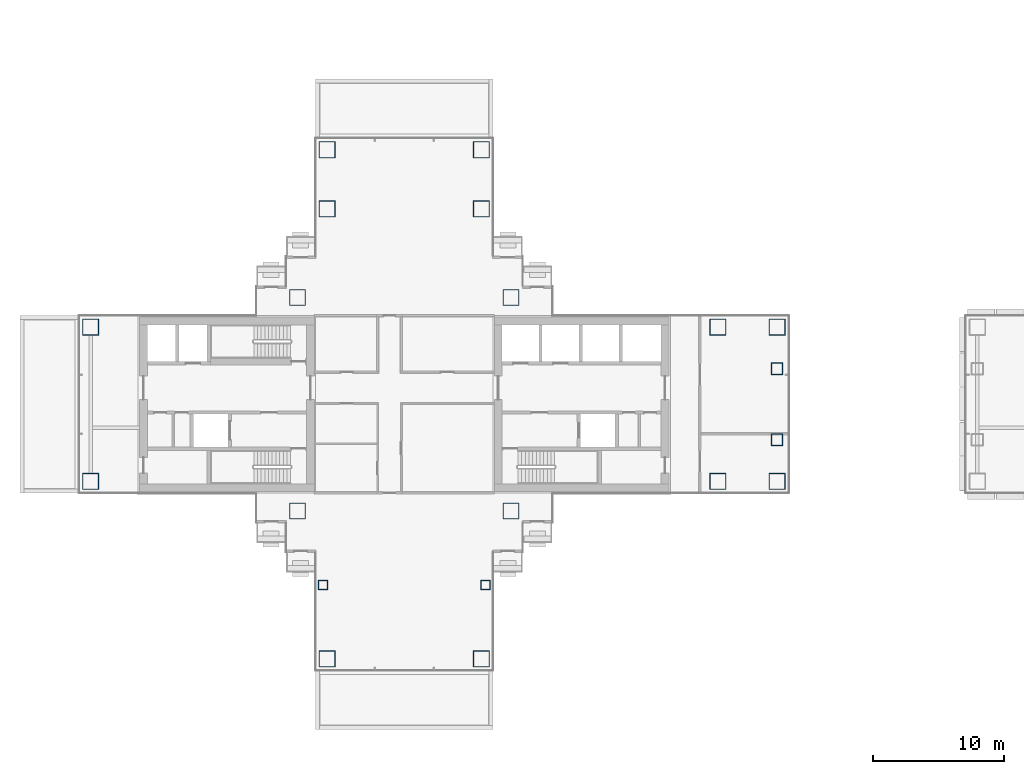
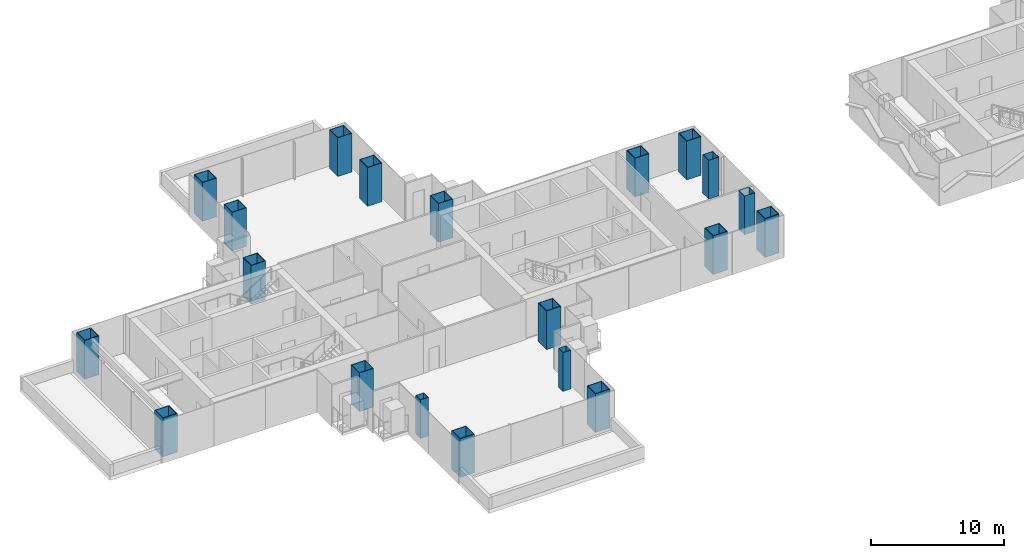
# One storey, part 1 of 20: 20 columns.
"""IFC4 building model written with IfcOpenShell, lengths in metres."""

from ifc_helpers import new_model, si_unit, direction, frame, origin, origin_2d, place, context, subcontext, project, spatial, hollow_rectangle, extrude, material, material_profile, profile_set, type_object, element, save


model = new_model("IFC4")

# Units and contexts
model_context = context("Model", 3, precision=1e-05, world=origin(), true_north=direction((0.0, 1.0)))
body_context = subcontext(model_context, "Body", "Model", "MODEL_VIEW")
ifc_project = project(units=[si_unit("LENGTHUNIT", "METRE"), si_unit("AREAUNIT", "SQUARE_METRE"), si_unit("VOLUMEUNIT", "CUBIC_METRE"), si_unit("PLANEANGLEUNIT", "RADIAN"), si_unit("MASSUNIT", "GRAM", prefix="KILO")], contexts=[model_context])

# Site, building, storey
site_placement = place(None, origin())
site = spatial("IfcSite", under=ifc_project, at=site_placement, CompositionType="ELEMENT")
building_placement = place(site_placement, origin())
building = spatial("IfcBuilding", under=site, at=building_placement, Name="Shamsa Quay Exchange Towers", CompositionType="ELEMENT")
storey_placement = place(building_placement, frame((0.0, 0.0, 81.89990234375)))
storey = spatial("IfcBuildingStorey", under=building, at=storey_placement, Name="L18", CompositionType="ELEMENT", Elevation=81.89990234375)

# Columns
ifc_material_1 = material(Name="Concrete-filled steel tube S355 / C80/95", Category="concrete")
ifc_material_profile_1 = material_profile(ifc_material_1, hollow_rectangle(XDim=1.25, YDim=1.25, WallThickness=0.050048828125, at=origin_2d()), Name="CFT 1250x1250x50")
ifc_profile_set_1 = profile_set([ifc_material_profile_1], Name="Concrete-filled steel tube S355 / C80/95")
column_type_1 = type_object("IfcColumnType", Name="Column CFT 1250x1250x50", PredefinedType="COLUMN", material=ifc_profile_set_1)
for number, where, name in (
    (1, (-25.625, 8.125, 0.0), "Mega column T1-CM01"),
    (2, (-25.625, -8.125, 0.0), "Mega column T1-CM02"),
    (3, (-41.875, 8.125, 0.0), "Mega column T1-CM03"),
    (4, (-41.875, -8.125, 0.0), "Mega column T1-CM04"),
    (5, (-9.875, -5.875, 0.0), "Mega column T1-CM05"),
    (6, (-5.375, -5.875, 0.0), "Mega column T1-CM06"),
    (7, (-9.875, 5.875, 0.0), "Mega column T1-CM07"),
    (8, (-5.375, 5.875, 0.0), "Mega column T1-CM08"),
    (9, (-57.625, -5.875, 0.0), "Mega column T1-CM09"),
    (10, (-57.625, 5.875, 0.0), "Mega column T1-CM11"),
    (11, (-39.625, 14.875, 0.0), "Mega column T1-CM13"),
    (12, (-39.625, 19.375, 0.0), "Mega column T1-CM14"),
    (13, (-27.875, 14.875, 0.0), "Mega column T1-CM16"),
    (14, (-27.875, 19.375, 0.0), "Mega column T1-CM17"),
    (15, (-39.625, -19.375, 0.0), "Mega column T1-CM20"),
    (16, (-27.875, -19.375, 0.0), "Mega column T1-CM23"),
):
    element("IfcColumn", number, at=place(storey_placement, frame(where)), inside=storey, type_object=column_type_1, Name=name, PredefinedType="COLUMN", context=body_context, shape_type="SweptSolid", body=[
        extrude(hollow_rectangle(XDim=1.25, YDim=1.25, WallThickness=0.050048828125, at=origin_2d()), origin(), (0.0, 0.0, 1.0), 3.550048828125),
    ])
ifc_material_2 = material(Name="Concrete-filled steel tube S355 / C60/75", Category="concrete")
ifc_material_profile_2 = material_profile(ifc_material_2, hollow_rectangle(XDim=0.699951171875, YDim=0.699951171875, WallThickness=0.02490234375, at=origin_2d()), Name="CFT 700x700x25")
ifc_profile_set_2 = profile_set([ifc_material_profile_2], Name="Concrete-filled steel tube S355 / C60/75")
column_type_2 = type_object("IfcColumnType", Name="Column CFT 700x700x25", PredefinedType="COLUMN", material=ifc_profile_set_2)
for number, where, name in (
    (17, (-39.9375, -13.75, 0.0), "Perimeter column T1-CP19"),
    (18, (-27.5625, -13.75, 0.0), "Perimeter column T1-CP22"),
):
    element("IfcColumn", number, at=place(storey_placement, frame(where)), inside=storey, type_object=column_type_2, Name=name, PredefinedType="COLUMN", context=body_context, shape_type="SweptSolid", body=[
        extrude(hollow_rectangle(XDim=0.699951171875, YDim=0.699951171875, WallThickness=0.02490234375, at=origin_2d()), origin(), (0.0, 0.0, 1.0), 3.550048828125),
    ])
ifc_material_3 = material(Name="Concrete-filled steel tube S355 / C70/85", Category="concrete")
ifc_material_profile_3 = material_profile(ifc_material_3, hollow_rectangle(XDim=0.89990234375, YDim=0.89990234375, WallThickness=0.035888671875, at=origin_2d()), Name="CFT 900x900x36")
ifc_profile_set_3 = profile_set([ifc_material_profile_3], Name="Concrete-filled steel tube S355 / C70/85")
column_type_3 = type_object("IfcColumnType", Name="Landing column CFT 900x900x36", PredefinedType="COLUMN", material=ifc_profile_set_3)
for number, where, name in (
    (19, (-5.375, -2.699951171875, 0.0), "Landing column T1 S"),
    (20, (-5.375, 2.699951171875, 0.0), "Landing column T1 N"),
):
    element("IfcColumn", number, at=place(storey_placement, frame(where)), inside=storey, type_object=column_type_3, Name=name, PredefinedType="COLUMN", context=body_context, shape_type="SweptSolid", body=[
        extrude(hollow_rectangle(XDim=0.89990234375, YDim=0.89990234375, WallThickness=0.035888671875, at=origin_2d()), origin(), (0.0, 0.0, 1.0), 3.550048828125),
    ])

save(model, "model.ifc")
